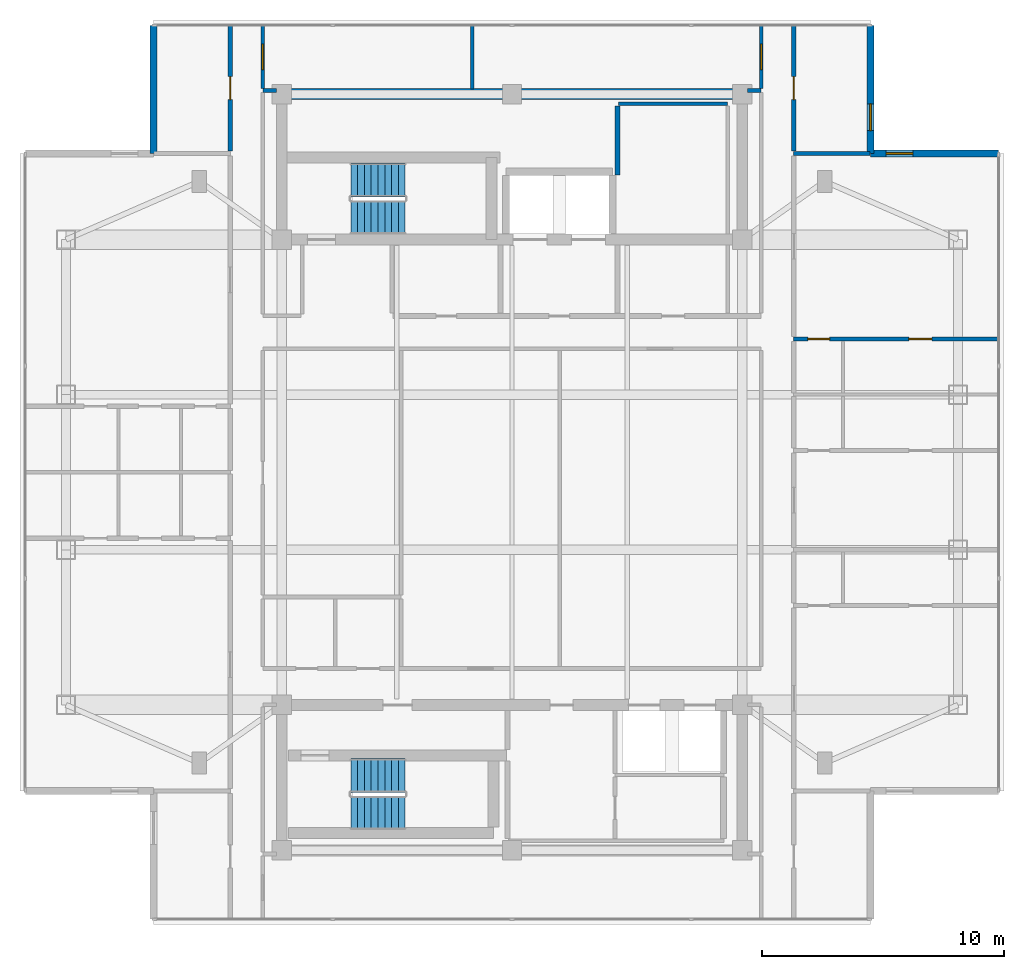
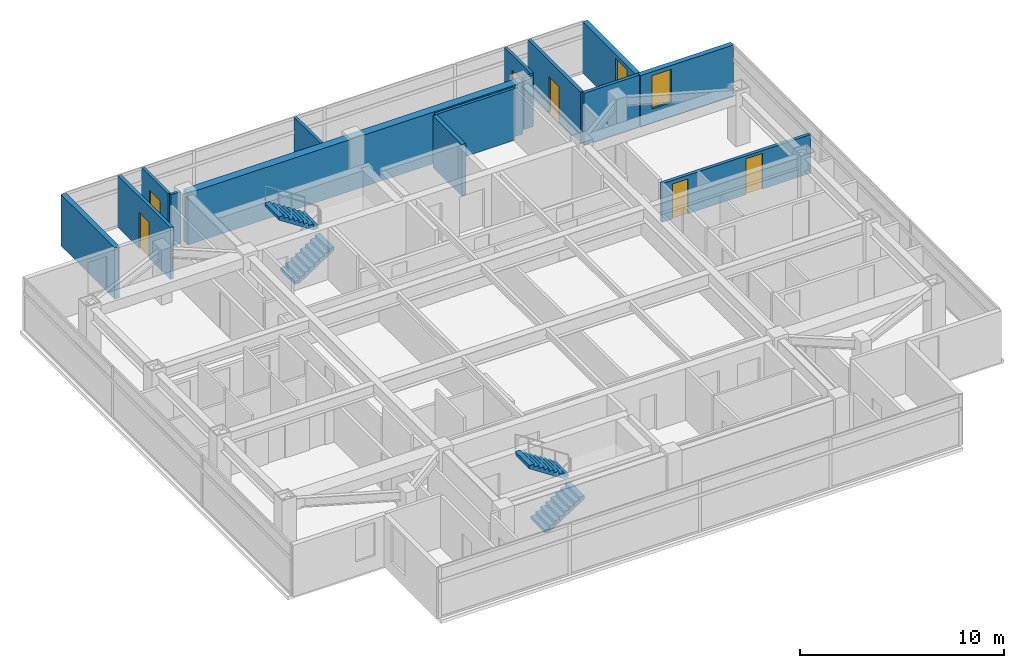
# One storey, part 9 of 12: 15 walls, 6 doors, 4 stair flights, 2 windows, 8 openings, 2 elements without a shape of their own.
"""IFC4 building model written with IfcOpenShell, lengths in metres."""

import ifcopenshell
import ifcopenshell.guid

model = None  # the IFC model being written
_history = None  # IfcOwnerHistory: only IFC2X3 demands one
_inside = {}  # id of a spatial element -> (the spatial element, [elements in it])
_under = {}  # id of a project, library or spatial element -> (it, [spatial elements below it])
_declared = {}  # id of a project -> (the project, [libraries it declares])
_typed = {}  # id of a type object -> (the type object, [elements of that type])
_made_of = {}  # id of a material, layer set ... -> (it, [elements and type objects made of it])


def new_model(schema):
    """Start an empty IFC model of exactly this schema.

    Asked for "IFC4X3", IfcOpenShell would pick the latest addendum, in which some entities
    have other attributes; the version numbers below select the first issue.
    IFC2X3 requires an IfcOwnerHistory on every rooted entity: one is made here for all.
    """
    global model, _history
    if schema == "IFC4X3":
        model = ifcopenshell.file(schema_version=(4, 3, 0, 0))
    else:
        model = ifcopenshell.file(schema=schema)
    _inside.clear()
    _under.clear()
    _declared.clear()
    _typed.clear()
    _made_of.clear()
    _history = None
    if model.schema == "IFC2X3":
        org = make("IfcOrganization", Name="unknown")
        user = make(
            "IfcPersonAndOrganization",
            ThePerson=make("IfcPerson", FamilyName="unknown"),
            TheOrganization=org,
        )
        app = make(
            "IfcApplication",
            ApplicationDeveloper=org,
            Version="unknown",
            ApplicationFullName="unknown",
            ApplicationIdentifier="unknown",
        )
        _history = make(
            "IfcOwnerHistory",
            OwningUser=user,
            OwningApplication=app,
            ChangeAction="ADDED",
            CreationDate=0,
        )
    return model


def make(cls, **values):
    """One entity of the class cls with the attributes given. An attribute that is None is left unset."""
    return model.create_entity(
        cls, **{name: value for name, value in values.items() if value is not None}
    )


def rooted(cls, **values):
    """An entity with a GlobalId (a new one), such as an element, a storey or a relation."""
    return make(cls, GlobalId=ifcopenshell.guid.new(), OwnerHistory=_history, **values)


def si_unit(unit_type, name, prefix=None):
    """IfcSIUnit, for example si_unit("LENGTHUNIT", "METRE", prefix="MILLI")."""
    return make("IfcSIUnit", UnitType=unit_type, Prefix=prefix, Name=name)


def assignment(units):
    """IfcUnitAssignment: the units of a project."""
    return None if units is None else make("IfcUnitAssignment", Units=units)


def point(xyz):
    """IfcCartesianPoint."""
    return None if xyz is None else make("IfcCartesianPoint", Coordinates=xyz)


def direction(xyz):
    """IfcDirection."""
    return None if xyz is None else make("IfcDirection", DirectionRatios=xyz)


def frame(location, z_axis=None, x_axis=None):
    """IfcAxis2Placement3D, a coordinate frame: its origin and axes. An axis left out is left unset."""
    return make(
        "IfcAxis2Placement3D",
        Location=point(location),
        Axis=direction(z_axis),
        RefDirection=direction(x_axis),
    )


def frame_2d(location, x_axis=None):
    """IfcAxis2Placement2D, a coordinate frame in the plane: its origin and x axis."""
    return make(
        "IfcAxis2Placement2D", Location=point(location), RefDirection=direction(x_axis)
    )


def origin():
    """The frame at (0, 0, 0) with its axes left unset."""
    return frame((0.0, 0.0, 0.0))


def place(relative_to, where):
    """IfcLocalPlacement: puts the frame where relative to a parent placement (None: the world)."""
    return make(
        "IfcLocalPlacement", PlacementRelTo=relative_to, RelativePlacement=where
    )


def context(
    kind, dimensions, precision=None, world=None, true_north=None, identifier=None
):
    """IfcGeometricRepresentationContext, for example the 3D "Model" context."""
    return make(
        "IfcGeometricRepresentationContext",
        ContextIdentifier=identifier,
        ContextType=kind,
        CoordinateSpaceDimension=dimensions,
        Precision=precision,
        WorldCoordinateSystem=world,
        TrueNorth=true_north,
    )


def subcontext(parent, identifier, kind, view, scale=None):
    """IfcGeometricRepresentationSubContext, for example "Body" below "Model"."""
    return make(
        "IfcGeometricRepresentationSubContext",
        ContextIdentifier=identifier,
        ContextType=kind,
        ParentContext=parent,
        TargetScale=scale,
        TargetView=view,
    )


def project(units=None, contexts=None):
    """IfcProject with its units and contexts."""
    return rooted(
        "IfcProject",
        Name="project",
        RepresentationContexts=contexts,
        UnitsInContext=assignment(units),
    )


def spatial(cls, under=None, at=None, **own):
    """A site, building, storey or space (cls), placed at a placement, below another one or the project."""
    s = rooted(cls, ObjectPlacement=at, **own)
    if under is not None:
        _under.setdefault(under.id(), (under, []))[1].append(s)
    return s


def polyline(points):
    """IfcPolyline through the points."""
    return make("IfcPolyline", Points=[point(p) for p in points])


def profile(cls, at=None, kind="AREA", **sizes):
    """A parametric profile (cls). Its sizes go by their IFC names, for example OverallWidth=200.0."""
    return make(cls, ProfileType=kind, Position=at, **sizes)


def rectangle(**sizes):
    """IfcRectangleProfileDef."""
    return profile("IfcRectangleProfileDef", **sizes)


def outline(outer, holes=None, kind="AREA"):
    """IfcArbitraryClosedProfileDef: a profile drawn as a closed curve; with holes, ...WithVoids."""
    if holes is None:
        return make("IfcArbitraryClosedProfileDef", ProfileType=kind, OuterCurve=outer)
    return make(
        "IfcArbitraryProfileDefWithVoids",
        ProfileType=kind,
        OuterCurve=outer,
        InnerCurves=holes,
    )


def extrude(swept, where, along, depth):
    """IfcExtrudedAreaSolid: the profile swept, set in the frame where, extruded along a direction by depth."""
    return make(
        "IfcExtrudedAreaSolid",
        SweptArea=swept,
        Position=where,
        ExtrudedDirection=direction(along),
        Depth=depth,
    )


def shape(context_of_items, identifier, shape_type, items):
    """IfcShapeRepresentation: the items that make up one representation, for example the "Body"."""
    return make(
        "IfcShapeRepresentation",
        ContextOfItems=context_of_items,
        RepresentationIdentifier=identifier,
        RepresentationType=shape_type,
        Items=items,
    )


def material(Name=None, Category=None):
    """IfcMaterial."""
    return make("IfcMaterial", Name=Name, Category=Category)


def layer(
    of_material, thickness, ventilated=None, Name=None, Category=None, Priority=None
):
    """IfcMaterialLayer: one layer of a wall or slab, of a material (None: an air gap)."""
    return make(
        "IfcMaterialLayer",
        Material=of_material,
        LayerThickness=thickness,
        IsVentilated=ventilated,
        Name=Name,
        Category=Category,
        Priority=Priority,
    )


def layer_set(layers, Name=None):
    """IfcMaterialLayerSet."""
    return make("IfcMaterialLayerSet", MaterialLayers=layers, LayerSetName=Name)


def made_of(thing, what):
    """Note that an element or type object is made of a material, layer set ...; save() writes the relation."""
    if what is not None:
        _made_of.setdefault(what.id(), (what, []))[1].append(thing)
    return thing


def type_object(cls, material=None, **own):
    """A type object (cls), such as IfcWallType, which elements share."""
    return made_of(rooted(cls, **own), material)


def element(
    cls,
    number,
    at=None,
    inside=None,
    cuts=None,
    type_object=None,
    material=None,
    context=None,
    identifier="Body",
    shape_type=None,
    held_by="IfcProductDefinitionShape",
    body=None,
    shapes=None,
    **own,
):
    """One element of the class cls, such as IfcWall. Its Tag is "e" and its number.

    at: its placement. inside: the storey or other place that contains it. cuts: it is an
    opening in that element (IfcRelVoidsElement). A single representation is given by context,
    identifier, shape_type and body (its items); several are given by shapes. held_by: the class
    of the entity that holds the representations. save() writes the other relations.
    """
    e = rooted(cls, Tag="e%d" % number, ObjectPlacement=at, **own)
    if body is not None:
        shapes = [shape(context, identifier, shape_type, body)]
    if shapes is not None:
        e.Representation = make(held_by, Representations=shapes)
    if inside is not None:
        _inside.setdefault(inside.id(), (inside, []))[1].append(e)
    if cuts is not None:
        rooted(
            "IfcRelVoidsElement", RelatingBuildingElement=cuts, RelatedOpeningElement=e
        )
    if type_object is not None:
        _typed.setdefault(type_object.id(), (type_object, []))[1].append(e)
    return made_of(e, material)


def fill(opening, filler):
    """IfcRelFillsElement: the door or window that sits in an opening."""
    return rooted(
        "IfcRelFillsElement",
        RelatingOpeningElement=opening,
        RelatedBuildingElement=filler,
    )


def aggregate(whole, parts):
    """IfcRelAggregates: a whole, such as a stair, and the parts it consists of."""
    return rooted("IfcRelAggregates", RelatingObject=whole, RelatedObjects=parts)


def save(model, path):
    """Write the relations noted so far, then the file.

    IfcRelAggregates (storeys below a building ...), IfcRelContainedInSpatialStructure (elements
    in a storey), IfcRelDefinesByType, IfcRelAssociatesMaterial and IfcRelDeclares: one each for
    every whole, place, type object, material and project.
    """
    for whole, parts in _under.values():
        aggregate(whole, parts)
    for where, things in _inside.values():
        rooted(
            "IfcRelContainedInSpatialStructure",
            RelatedElements=things,
            RelatingStructure=where,
        )
    for kind, things in _typed.values():
        rooted("IfcRelDefinesByType", RelatedObjects=things, RelatingType=kind)
    for what, things in _made_of.values():
        rooted("IfcRelAssociatesMaterial", RelatedObjects=things, RelatingMaterial=what)
    for by, libraries in _declared.values():
        rooted("IfcRelDeclares", RelatingContext=by, RelatedDefinitions=libraries)
    model.write(path)


model = new_model("IFC4")

# Units and contexts
model_context = context("Model", 3, precision=1e-05, world=origin(), true_north=direction((0.0, 1.0)))
body_context = subcontext(model_context, "Body", "Model", "MODEL_VIEW")
ifc_project = project(units=[si_unit("LENGTHUNIT", "METRE"), si_unit("AREAUNIT", "SQUARE_METRE"), si_unit("VOLUMEUNIT", "CUBIC_METRE"), si_unit("PLANEANGLEUNIT", "RADIAN"), si_unit("MASSUNIT", "GRAM", prefix="KILO")], contexts=[model_context])

# Site, building, storey
site_placement = place(None, origin())
site = spatial("IfcSite", under=ifc_project, at=site_placement, CompositionType="ELEMENT")
building_placement = place(site_placement, origin())
building = spatial("IfcBuilding", under=site, at=building_placement, Name="Mirazonda Arch Towers", CompositionType="ELEMENT")
storey_placement = place(building_placement, frame((0.0, 0.0, 219.39990234375)))
storey = spatial("IfcBuildingStorey", under=building, at=storey_placement, Name="L62", CompositionType="ELEMENT", Elevation=219.39990234375)

# Wall
ifc_material_1 = material(Name="Concrete C50/60", Category="concrete")
ifc_layer_1 = layer(ifc_material_1, 0.449951171875, Name="WALL-CORE-450")
ifc_layer_set_1 = layer_set([ifc_layer_1], Name="Concrete C50/60")
wall_type_1 = type_object("IfcWallType", Name="WALL-CORE-450", PredefinedType="SHEAR", material=ifc_layer_set_1)
wall_1_placement = place(storey_placement, frame((11.0, 43.60009765625, 0.0), z_axis=(0.0, 0.0, 1.0), x_axis=(1.0, 0.0, 0.0)))
element("IfcWall", 1, at=wall_1_placement, inside=storey, type_object=wall_type_1, Name="L62 T1N-N Core Shear Wall", PredefinedType="SHEAR", context=body_context, shape_type="SweptSolid", body=[
    extrude(rectangle(XDim=19.0, YDim=0.449951171875, at=frame_2d((9.5, 0.0))), origin(), (0.0, 0.0, 1.0), 3.10009765625),
])

# Wall, opening, window
ifc_material_2 = material(Name="Precast Concrete C40/50", Category="concrete")
ifc_layer_2 = layer(ifc_material_2, 0.280029296875, Name="WALL-EXT-WALL-280")
ifc_layer_set_2 = layer_set([ifc_layer_2], Name="Precast Concrete C40/50")
wall_type_2 = type_object("IfcWallType", Name="WALL-EXT-WALL-280", PredefinedType="SOLIDWALL", material=ifc_layer_set_2)
wall_2_placement = place(storey_placement, frame((35.2900390625, 41.14990234375, 0.0), z_axis=(0.0, 0.0, 1.0), x_axis=(0.0, 1.0, 0.0)))
wall_2 = element("IfcWall", 2, at=wall_2_placement, inside=storey, type_object=wall_type_2, Name="L62 T1 Notched NE Corner Wall WL-L62-T1-CNE", PredefinedType="SOLIDWALL", context=body_context, shape_type="SweptSolid", body=[
    extrude(rectangle(XDim=5.2900390625, YDim=0.280029296875, at=frame_2d((2.64501953125, 0.0))), origin(), (0.0, 0.0, 1.0), 3.080078125),
])
opening_1_placement = place(wall_2_placement, frame((0.949951171875, 0.0, 0.85009765625)))
opening_1 = element("IfcOpeningElement", 3, at=opening_1_placement, cuts=wall_2, Name="Opening WN-108", PredefinedType="OPENING", context=body_context, shape_type="SweptSolid", body=[
    extrude(rectangle(XDim=1.10009765625, YDim=2.0, at=frame_2d((0.550048828125, 1.0))), frame((0.0, 0.14990234375, 0.0), z_axis=(0.0, -1.0, 0.0), x_axis=(1.0, 0.0, 0.0)), (0.0, 0.0, 1.0), 0.300048828125),
])
ifc_material_3 = material(Name="Insulated Low-E Solar Glass", Category="glass")
window_type = type_object("IfcWindowType", Name="WIN-NOTCH-1100x2000", PartitioningType="SINGLE_PANEL", PredefinedType="WINDOW", material=ifc_material_3)
window_1_placement = place(opening_1_placement, origin())
window_1 = element("IfcWindow", 4, at=window_1_placement, inside=storey, type_object=window_type, Name="L62 Punched Facade Window WN-L62-T1-CNE", OverallHeight=2.0, OverallWidth=1.10009765625, PartitioningType="SINGLE_PANEL", PredefinedType="WINDOW", context=body_context, shape_type="SweptSolid", body=[
    extrude(rectangle(XDim=1.10009765625, YDim=2.0, at=frame_2d((0.550048828125, 1.0))), frame((0.0, 0.030029296875, 0.0), z_axis=(0.0, -1.0, 0.0), x_axis=(1.0, 0.0, 0.0)), (0.0, 0.0, 1.0), 0.06005859375),
])
fill(opening_1, window_1)

# Wall
wall_3_placement = place(storey_placement, frame((5.7099609375, 46.43994140625, 0.0), z_axis=(0.0, 0.0, 1.0), x_axis=(0.0, -1.0, 0.0)))
element("IfcWall", 5, at=wall_3_placement, inside=storey, type_object=wall_type_2, Name="L62 T1 Corner Notch Return Wall WL-L62-T1-CNW2", PredefinedType="SOLIDWALL", context=body_context, shape_type="SweptSolid", body=[
    extrude(rectangle(XDim=5.2900390625, YDim=0.280029296875, at=frame_2d((2.64501953125, 0.0))), origin(), (0.0, 0.0, 1.0), 3.080078125),
])

# Wall, opening, window
wall_4_placement = place(storey_placement, frame((40.580078125, 41.14990234375, 0.0), z_axis=(0.0, 0.0, 1.0), x_axis=(-1.0, 0.0, 0.0)))
wall_4 = element("IfcWall", 6, at=wall_4_placement, inside=storey, type_object=wall_type_2, Name="L62 T1 Corner Notch Return Wall WL-L62-T1-CNE2", PredefinedType="SOLIDWALL", context=body_context, shape_type="SweptSolid", body=[
    extrude(rectangle(XDim=5.2900390625, YDim=0.280029296875, at=frame_2d((2.64501953125, 0.0))), origin(), (0.0, 0.0, 1.0), 3.080078125),
])
opening_2_placement = place(wall_4_placement, frame((3.5400390625, 0.0, 0.85009765625)))
opening_2 = element("IfcOpeningElement", 7, at=opening_2_placement, cuts=wall_4, Name="Opening WN-108", PredefinedType="OPENING", context=body_context, shape_type="SweptSolid", body=[
    extrude(rectangle(XDim=1.10009765625, YDim=2.0, at=frame_2d((0.550048828125, 1.0))), frame((0.0, 0.14990234375, 0.0), z_axis=(0.0, -1.0, 0.0), x_axis=(1.0, 0.0, 0.0)), (0.0, 0.0, 1.0), 0.300048828125),
])
window_2_placement = place(opening_2_placement, origin())
window_2 = element("IfcWindow", 8, at=window_2_placement, inside=storey, type_object=window_type, Name="L62 Punched Facade Window WN-L62-T1-CNE2", OverallHeight=2.0, OverallWidth=1.10009765625, PartitioningType="SINGLE_PANEL", PredefinedType="WINDOW", context=body_context, shape_type="SweptSolid", body=[
    extrude(rectangle(XDim=1.10009765625, YDim=2.0, at=frame_2d((0.550048828125, 1.0))), frame((0.0, 0.030029296875, 0.0), z_axis=(0.0, -1.0, 0.0), x_axis=(1.0, 0.0, 0.0)), (0.0, 0.0, 1.0), 0.06005859375),
])
fill(opening_2, window_2)

# Walls
ifc_material_4 = material(Name="Concrete C40/50", Category="concrete")
ifc_layer_3 = layer(ifc_material_4, 0.219970703125, Name="WALL-FFL-220")
ifc_layer_set_3 = layer_set([ifc_layer_3], Name="Concrete C40/50")
wall_type_3 = type_object("IfcWallType", Name="WALL-FFL-220", PredefinedType="SOLIDWALL", material=ifc_layer_set_3)
wall_5_placement = place(storey_placement, frame((24.85009765625, 40.260009765625, 0.0), z_axis=(0.0, 0.0, 1.0), x_axis=(0.0, 1.0, 0.0)))
element("IfcWall", 9, at=wall_5_placement, inside=storey, type_object=wall_type_3, Name="L62 Interior Partition 062", PredefinedType="SOLIDWALL", context=body_context, shape_type="SweptSolid", body=[
    extrude(rectangle(XDim=2.85498046875, YDim=0.219970703125, at=frame_2d((1.427490234375, 0.0))), origin(), (0.0, 0.0, 1.0), 3.10009765625),
])
ifc_material_5 = material(Name="Fire-Rated Gypsum Stud Partition")
ifc_layer_4 = layer(ifc_material_5, 0.14990234375, Name="WALL-PART-CORR-150")
ifc_layer_set_4 = layer_set([ifc_layer_4], Name="Fire-Rated Gypsum Stud Partition")
wall_type_4 = type_object("IfcWallType", Name="WALL-PART-CORR-150", PredefinedType="PARTITIONING", material=ifc_layer_set_4)
wall_6_placement = place(storey_placement, frame((24.89990234375, 43.199951171875, 0.0), z_axis=(0.0, 0.0, 1.0), x_axis=(1.0, 0.0, 0.0)))
element("IfcWall", 10, at=wall_6_placement, inside=storey, type_object=wall_type_4, Name="L62 Interior Partition 027", PredefinedType="PARTITIONING", context=body_context, shape_type="SweptSolid", body=[
    extrude(rectangle(XDim=4.5, YDim=0.14990234375, at=frame_2d((2.25, 0.0))), origin(), (0.0, 0.0, 1.0), 3.10009765625),
])
for number, where, z_axis, x_axis, name in (
    (11, (10.219970703125, 43.75, 0.0), (0.0, 0.0, 1.0), (1.0, 0.0, 0.0), "L62 Interior Partition 028"),
    (12, (30.219970703125, 43.75, 0.0), (0.0, 0.0, 1.0), (1.0, 0.0, 0.0), "L62 Interior Partition 029"),
):
    element("IfcWall", number, at=place(storey_placement, frame(where, z_axis=z_axis, x_axis=x_axis)), inside=storey, type_object=wall_type_4, Name=name, PredefinedType="PARTITIONING", context=body_context, shape_type="SweptSolid", body=[
        extrude(rectangle(XDim=0.56005859375, YDim=0.14990234375, at=frame_2d((0.280029296875, 0.0))), origin(), (0.0, 0.0, 1.0), 3.10009765625),
    ])

# Wall, opening, door
wall_7_placement = place(storey_placement, frame((10.219970703125, 43.8349609375, 0.0), z_axis=(0.0, 0.0, 1.0), x_axis=(0.0, 1.0, 0.0)))
wall_7 = element("IfcWall", 13, at=wall_7_placement, inside=storey, type_object=wall_type_4, Name="L62 Interior Partition 045", PredefinedType="PARTITIONING", context=body_context, shape_type="SweptSolid", body=[
    extrude(rectangle(XDim=2.60498046875, YDim=0.14990234375, at=frame_2d((1.302490234375, 0.0))), origin(), (0.0, 0.0, 1.0), 3.10009765625),
])
opening_3_placement = place(wall_7_placement, frame((0.777587890625, 0.0, 0.0)))
opening_3 = element("IfcOpeningElement", 14, at=opening_3_placement, cuts=wall_7, Name="Opening DR-121", PredefinedType="OPENING", context=body_context, shape_type="SweptSolid", body=[
    extrude(rectangle(XDim=1.050048828125, YDim=2.199951171875, at=frame_2d((0.52490234375, 1.10009765625))), frame((0.0, 0.0849609375, 0.0), z_axis=(0.0, -1.0, 0.0), x_axis=(1.0, 0.0, 0.0)), (0.0, 0.0, 1.0), 0.169921875),
])
ifc_material_6 = material(Name="Architectural Brushed Steel S355", Category="steel")
door_type_1 = type_object("IfcDoorType", Name="DOOR-SUITE-FD60-1050", OperationType="NOTDEFINED", PredefinedType="DOOR", material=ifc_material_6)
door_1_placement = place(opening_3_placement, origin())
door_1 = element("IfcDoor", 15, at=door_1_placement, inside=storey, type_object=door_type_1, Name="L62 North Bay Sunroom West Door", OperationType="SINGLE_SWING_LEFT", OverallHeight=2.199951171875, OverallWidth=1.050048828125, PredefinedType="DOOR", context=body_context, shape_type="SweptSolid", body=[
    extrude(rectangle(XDim=1.050048828125, YDim=2.199951171875, at=frame_2d((0.52490234375, 1.10009765625))), frame((0.0, 0.02490234375, 0.0), z_axis=(0.0, -1.0, 0.0), x_axis=(1.0, 0.0, 0.0)), (0.0, 0.0, 1.0), 0.050048828125),
])
fill(opening_3, door_1)

# Wall
wall_8_placement = place(storey_placement, frame((18.85498046875, 43.820068359375, 0.0), z_axis=(0.0, 0.0, 1.0), x_axis=(0.0, 1.0, 0.0)))
element("IfcWall", 16, at=wall_8_placement, inside=storey, type_object=wall_type_4, Name="L62 Interior Partition 051", PredefinedType="PARTITIONING", context=body_context, shape_type="SweptSolid", body=[
    extrude(rectangle(XDim=2.619873046875, YDim=0.14990234375, at=frame_2d((1.31005859375, 0.0))), origin(), (0.0, 0.0, 1.0), 3.10009765625),
])

# Wall, opening, door
wall_9_placement = place(storey_placement, frame((30.780029296875, 43.8349609375, 0.0), z_axis=(0.0, 0.0, 1.0), x_axis=(0.0, 1.0, 0.0)))
wall_9 = element("IfcWall", 17, at=wall_9_placement, inside=storey, type_object=wall_type_4, Name="L62 Interior Partition 071", PredefinedType="PARTITIONING", context=body_context, shape_type="SweptSolid", body=[
    extrude(rectangle(XDim=2.60498046875, YDim=0.14990234375, at=frame_2d((1.302490234375, 0.0))), origin(), (0.0, 0.0, 1.0), 3.10009765625),
])
opening_4_placement = place(wall_9_placement, frame((0.777587890625, 0.0, 0.0)))
opening_4 = element("IfcOpeningElement", 18, at=opening_4_placement, cuts=wall_9, Name="Opening DR-121", PredefinedType="OPENING", context=body_context, shape_type="SweptSolid", body=[
    extrude(rectangle(XDim=1.050048828125, YDim=2.199951171875, at=frame_2d((0.52490234375, 1.10009765625))), frame((0.0, 0.0849609375, 0.0), z_axis=(0.0, -1.0, 0.0), x_axis=(1.0, 0.0, 0.0)), (0.0, 0.0, 1.0), 0.169921875),
])
door_2_placement = place(opening_4_placement, origin())
door_2 = element("IfcDoor", 19, at=door_2_placement, inside=storey, type_object=door_type_1, Name="L62 North Bay Sunroom East Door", OperationType="SINGLE_SWING_RIGHT", OverallHeight=2.199951171875, OverallWidth=1.050048828125, PredefinedType="DOOR", context=body_context, shape_type="SweptSolid", body=[
    extrude(rectangle(XDim=1.050048828125, YDim=2.199951171875, at=frame_2d((0.52490234375, 1.10009765625))), frame((0.0, 0.02490234375, 0.0), z_axis=(0.0, -1.0, 0.0), x_axis=(1.0, 0.0, 0.0)), (0.0, 0.0, 1.0), 0.050048828125),
])
fill(opening_4, door_2)

# Wall, openings, doors
ifc_material_7 = material(Name="Fire-Rated Gypsum Twin-Stud Assembly")
ifc_layer_5 = layer(ifc_material_7, 0.179931640625, Name="WALL-PART-DEMISE-180")
ifc_layer_set_5 = layer_set([ifc_layer_5], Name="Fire-Rated Gypsum Twin-Stud Assembly")
wall_type_5 = type_object("IfcWallType", Name="WALL-PART-DEMISE-180", PredefinedType="PARTITIONING", material=ifc_layer_set_5)
wall_10_placement = place(storey_placement, frame((32.1201171875, 33.5, 0.0), z_axis=(0.0, 0.0, 1.0), x_axis=(1.0, 0.0, 0.0)))
wall_10 = element("IfcWall", 20, at=wall_10_placement, inside=storey, type_object=wall_type_5, Name="L62 Interior Partition 021", PredefinedType="PARTITIONING", context=body_context, shape_type="SweptSolid", body=[
    extrude(rectangle(XDim=8.4599609375, YDim=0.179931640625, at=frame_2d((4.22998046875, 0.0))), origin(), (0.0, 0.0, 1.0), 2.319091796875),
])
opening_5_placement = place(wall_10_placement, frame((4.7548828125, 0.0, 0.0)))
opening_5 = element("IfcOpeningElement", 21, at=opening_5_placement, cuts=wall_10, Name="Opening DR-104", PredefinedType="OPENING", context=body_context, shape_type="SweptSolid", body=[
    extrude(rectangle(XDim=0.949951171875, YDim=2.14990234375, at=frame_2d((0.47509765625, 1.074951171875))), frame((0.0, 0.099853515625, 0.0), z_axis=(0.0, -1.0, 0.0), x_axis=(1.0, 0.0, 0.0)), (0.0, 0.0, 1.0), 0.199951171875),
])
opening_6_placement = place(wall_10_placement, frame((0.590087890625, 0.0, 0.0)))
opening_6 = element("IfcOpeningElement", 22, at=opening_6_placement, cuts=wall_10, Name="Opening DR-120", PredefinedType="OPENING", context=body_context, shape_type="SweptSolid", body=[
    extrude(rectangle(XDim=0.89990234375, YDim=2.10009765625, at=frame_2d((0.449951171875, 1.050048828125))), frame((0.0, 0.099853515625, 0.0), z_axis=(0.0, -1.0, 0.0), x_axis=(1.0, 0.0, 0.0)), (0.0, 0.0, 1.0), 0.199951171875),
])
door_type_2 = type_object("IfcDoorType", Name="DOOR-ROOM-950", OperationType="NOTDEFINED", PredefinedType="DOOR", material=ifc_material_6)
door_3_placement = place(opening_5_placement, origin())
door_3 = element("IfcDoor", 23, at=door_3_placement, inside=storey, type_object=door_type_2, Name="L62 Studio 3 Galley Kitchen Door", OperationType="SINGLE_SWING_RIGHT", OverallHeight=2.14990234375, OverallWidth=0.949951171875, PredefinedType="DOOR", context=body_context, shape_type="SweptSolid", body=[
    extrude(rectangle(XDim=0.949951171875, YDim=2.14990234375, at=frame_2d((0.47509765625, 1.074951171875))), frame((0.0, 0.02490234375, 0.0), z_axis=(0.0, -1.0, 0.0), x_axis=(1.0, 0.0, 0.0)), (0.0, 0.0, 1.0), 0.050048828125),
])
fill(opening_5, door_3)
door_type_3 = type_object("IfcDoorType", Name="DOOR-WC-900", OperationType="NOTDEFINED", PredefinedType="DOOR", material=ifc_material_6)
door_4_placement = place(opening_6_placement, origin())
door_4 = element("IfcDoor", 24, at=door_4_placement, inside=storey, type_object=door_type_3, Name="L62 Studio 3 Bathroom Door", OperationType="SINGLE_SWING_LEFT", OverallHeight=2.10009765625, OverallWidth=0.89990234375, PredefinedType="DOOR", context=body_context, shape_type="SweptSolid", body=[
    extrude(rectangle(XDim=0.89990234375, YDim=2.10009765625, at=frame_2d((0.449951171875, 1.050048828125))), frame((0.0, 0.02490234375, 0.0), z_axis=(0.0, -1.0, 0.0), x_axis=(1.0, 0.0, 0.0)), (0.0, 0.0, 1.0), 0.050048828125),
])
fill(opening_6, door_4)

# Wall
wall_11_placement = place(storey_placement, frame((32.1201171875, 41.14990234375, 0.0), z_axis=(0.0, 0.0, 1.0), x_axis=(1.0, 0.0, 0.0)))
element("IfcWall", 25, at=wall_11_placement, inside=storey, type_object=wall_type_5, Name="L62 Interior Partition 026", PredefinedType="PARTITIONING", context=body_context, shape_type="SweptSolid", body=[
    extrude(rectangle(XDim=3.14990234375, YDim=0.179931640625, at=frame_2d((1.574951171875, 0.0))), origin(), (0.0, 0.0, 1.0), 3.10009765625),
])

# Wall, opening, door
wall_12_placement = place(storey_placement, frame((8.8798828125, 41.25, 0.0), z_axis=(0.0, 0.0, 1.0), x_axis=(0.0, 1.0, 0.0)))
wall_12 = element("IfcWall", 26, at=wall_12_placement, inside=storey, type_object=wall_type_5, Name="L62 Interior Partition 039", PredefinedType="PARTITIONING", context=body_context, shape_type="SweptSolid", body=[
    extrude(rectangle(XDim=5.18994140625, YDim=0.179931640625, at=frame_2d((2.594970703125, 0.0))), origin(), (0.0, 0.0, 1.0), 3.10009765625),
])
opening_7_placement = place(wall_12_placement, frame((2.1201171875, 0.0, 0.0)))
opening_7 = element("IfcOpeningElement", 27, at=opening_7_placement, cuts=wall_12, Name="Opening DR-104", PredefinedType="OPENING", context=body_context, shape_type="SweptSolid", body=[
    extrude(rectangle(XDim=0.949951171875, YDim=2.14990234375, at=frame_2d((0.47509765625, 1.074951171875))), frame((0.0, 0.099853515625, 0.0), z_axis=(0.0, -1.0, 0.0), x_axis=(1.0, 0.0, 0.0)), (0.0, 0.0, 1.0), 0.199951171875),
])
door_5_placement = place(opening_7_placement, origin())
door_5 = element("IfcDoor", 28, at=door_5_placement, inside=storey, type_object=door_type_2, Name="L62 North Bay Sunroom Alcove West Door", OperationType="SINGLE_SWING_LEFT", OverallHeight=2.14990234375, OverallWidth=0.949951171875, PredefinedType="DOOR", context=body_context, shape_type="SweptSolid", body=[
    extrude(rectangle(XDim=0.949951171875, YDim=2.14990234375, at=frame_2d((0.47509765625, 1.074951171875))), frame((0.0, 0.02490234375, 0.0), z_axis=(0.0, -1.0, 0.0), x_axis=(1.0, 0.0, 0.0)), (0.0, 0.0, 1.0), 0.050048828125),
])
fill(opening_7, door_5)

wall_13_placement = place(storey_placement, frame((32.1201171875, 41.25, 0.0), z_axis=(0.0, 0.0, 1.0), x_axis=(0.0, 1.0, 0.0)))
wall_13 = element("IfcWall", 29, at=wall_13_placement, inside=storey, type_object=wall_type_5, Name="L62 Interior Partition 079", PredefinedType="PARTITIONING", context=body_context, shape_type="SweptSolid", body=[
    extrude(rectangle(XDim=5.18994140625, YDim=0.179931640625, at=frame_2d((2.594970703125, 0.0))), origin(), (0.0, 0.0, 1.0), 3.10009765625),
])
opening_8_placement = place(wall_13_placement, frame((2.1201171875, 0.0, 0.0)))
opening_8 = element("IfcOpeningElement", 30, at=opening_8_placement, cuts=wall_13, Name="Opening DR-104", PredefinedType="OPENING", context=body_context, shape_type="SweptSolid", body=[
    extrude(rectangle(XDim=0.949951171875, YDim=2.14990234375, at=frame_2d((0.47509765625, 1.074951171875))), frame((0.0, 0.099853515625, 0.0), z_axis=(0.0, -1.0, 0.0), x_axis=(1.0, 0.0, 0.0)), (0.0, 0.0, 1.0), 0.199951171875),
])
door_6_placement = place(opening_8_placement, origin())
door_6 = element("IfcDoor", 31, at=door_6_placement, inside=storey, type_object=door_type_2, Name="L62 North Bay Sunroom Alcove East Door", OperationType="SINGLE_SWING_RIGHT", OverallHeight=2.14990234375, OverallWidth=0.949951171875, PredefinedType="DOOR", context=body_context, shape_type="SweptSolid", body=[
    extrude(rectangle(XDim=0.949951171875, YDim=2.14990234375, at=frame_2d((0.47509765625, 1.074951171875))), frame((0.0, 0.02490234375, 0.0), z_axis=(0.0, -1.0, 0.0), x_axis=(1.0, 0.0, 0.0)), (0.0, 0.0, 1.0), 0.050048828125),
])
fill(opening_8, door_6)

# Stair, stair flights
stair_type = type_object("IfcStairType", Name="STAIR-CORE-1400", PredefinedType="HALF_TURN_STAIR", material=ifc_material_4)
stair_1_placement = place(storey_placement, origin())
stair_1 = element("IfcStair", 32, at=stair_1_placement, inside=storey, type_object=stair_type, Name="L62 Protected Exit Stair ST-T1N", PredefinedType="HALF_TURN_STAIR")
stair_flight_type = type_object("IfcStairFlightType", Name="FLIGHT-1400", PredefinedType="STRAIGHT", material=ifc_material_4)
stair_flight_1_placement = place(storey_placement, frame((13.85009765625, 38.52001953125, 0.0), z_axis=(0.0, 0.0, 1.0), x_axis=(1.0, 0.0, 0.0)))
stair_flight_1 = element("IfcStairFlight", 33, at=stair_flight_1_placement, type_object=stair_flight_type, Name="ST-T1N flight 1", NumberOfRisers=9, NumberOfTreads=8, PredefinedType="STRAIGHT", RiserHeight=0.183333333, TreadLength=0.28, context=body_context, shape_type="SweptSolid", body=[
    extrude(outline(polyline([(0.0, 0.0), (0.0, 0.183349609375), (0.280029296875, 0.183349609375), (0.280029296875, 0.36669921875), (0.56005859375, 0.36669921875), (0.56005859375, 0.550048828125), (0.840087890625, 0.550048828125), (0.840087890625, 0.7333984375), (1.1201171875, 0.7333984375), (1.1201171875, 0.916748046875), (1.39990234375, 0.916748046875), (1.39990234375, 1.10009765625), (1.679931640625, 1.10009765625), (1.679931640625, 1.283447265625), (1.9599609375, 1.283447265625), (1.9599609375, 1.466552734375), (2.239990234375, 1.466552734375), (2.239990234375, 1.64990234375), (2.239990234375, 1.275634765625), (0.2919921875, 0.0), (0.0, 0.0)])), frame((0.0, 0.699951171875, 0.0), z_axis=(0.0, -1.0, 0.0), x_axis=(1.0, 0.0, 0.0)), (0.0, 0.0, 1.0), 1.39990234375),
])
stair_flight_2_placement = place(storey_placement, frame((16.090087890625, 40.06005859375, 1.650146484375), z_axis=(0.0, 0.0, 1.0), x_axis=(-1.0, 0.0, 0.0)))
stair_flight_2 = element("IfcStairFlight", 34, at=stair_flight_2_placement, type_object=stair_flight_type, Name="ST-T1N flight 2", NumberOfRisers=9, NumberOfTreads=8, PredefinedType="STRAIGHT", RiserHeight=0.183333333, TreadLength=0.28, context=body_context, shape_type="SweptSolid", body=[
    extrude(outline(polyline([(0.0, 0.0), (0.0, 0.183349609375), (0.280029296875, 0.183349609375), (0.280029296875, 0.36669921875), (0.56005859375, 0.36669921875), (0.56005859375, 0.550048828125), (0.840087890625, 0.550048828125), (0.840087890625, 0.7333984375), (1.1201171875, 0.7333984375), (1.1201171875, 0.916748046875), (1.39990234375, 0.916748046875), (1.39990234375, 1.10009765625), (1.679931640625, 1.10009765625), (1.679931640625, 1.283447265625), (1.9599609375, 1.283447265625), (1.9599609375, 1.466552734375), (2.239990234375, 1.466552734375), (2.239990234375, 1.64990234375), (2.239990234375, 1.275634765625), (0.2919921875, 0.0), (0.0, 0.0)])), frame((0.0, 0.699951171875, 0.0), z_axis=(0.0, -1.0, 0.0), x_axis=(1.0, 0.0, 0.0)), (0.0, 0.0, 1.0), 1.39990234375),
])
aggregate(stair_1, [stair_flight_1, stair_flight_2])

stair_2_placement = place(storey_placement, origin())
stair_2 = element("IfcStair", 35, at=stair_2_placement, inside=storey, type_object=stair_type, Name="L62 Protected Exit Stair ST-T1S", PredefinedType="HALF_TURN_STAIR")
stair_flight_3_placement = place(storey_placement, frame((13.85009765625, 13.949951171875, 0.0), z_axis=(0.0, 0.0, 1.0), x_axis=(1.0, 0.0, 0.0)))
stair_flight_3 = element("IfcStairFlight", 36, at=stair_flight_3_placement, type_object=stair_flight_type, Name="ST-T1S flight 1", NumberOfRisers=9, NumberOfTreads=8, PredefinedType="STRAIGHT", RiserHeight=0.183333333, TreadLength=0.28, context=body_context, shape_type="SweptSolid", body=[
    extrude(outline(polyline([(0.0, 0.0), (0.0, 0.183349609375), (0.280029296875, 0.183349609375), (0.280029296875, 0.36669921875), (0.56005859375, 0.36669921875), (0.56005859375, 0.550048828125), (0.840087890625, 0.550048828125), (0.840087890625, 0.7333984375), (1.1201171875, 0.7333984375), (1.1201171875, 0.916748046875), (1.39990234375, 0.916748046875), (1.39990234375, 1.10009765625), (1.679931640625, 1.10009765625), (1.679931640625, 1.283447265625), (1.9599609375, 1.283447265625), (1.9599609375, 1.466552734375), (2.239990234375, 1.466552734375), (2.239990234375, 1.64990234375), (2.239990234375, 1.275634765625), (0.2919921875, 0.0), (0.0, 0.0)])), frame((0.0, 0.699951171875, 0.0), z_axis=(0.0, -1.0, 0.0), x_axis=(1.0, 0.0, 0.0)), (0.0, 0.0, 1.0), 1.39990234375),
])
stair_flight_4_placement = place(storey_placement, frame((16.090087890625, 15.489990234375, 1.650146484375), z_axis=(0.0, 0.0, 1.0), x_axis=(-1.0, 0.0, 0.0)))
stair_flight_4 = element("IfcStairFlight", 37, at=stair_flight_4_placement, type_object=stair_flight_type, Name="ST-T1S flight 2", NumberOfRisers=9, NumberOfTreads=8, PredefinedType="STRAIGHT", RiserHeight=0.183333333, TreadLength=0.28, context=body_context, shape_type="SweptSolid", body=[
    extrude(outline(polyline([(0.0, 0.0), (0.0, 0.183349609375), (0.280029296875, 0.183349609375), (0.280029296875, 0.36669921875), (0.56005859375, 0.36669921875), (0.56005859375, 0.550048828125), (0.840087890625, 0.550048828125), (0.840087890625, 0.7333984375), (1.1201171875, 0.7333984375), (1.1201171875, 0.916748046875), (1.39990234375, 0.916748046875), (1.39990234375, 1.10009765625), (1.679931640625, 1.10009765625), (1.679931640625, 1.283447265625), (1.9599609375, 1.283447265625), (1.9599609375, 1.466552734375), (2.239990234375, 1.466552734375), (2.239990234375, 1.64990234375), (2.239990234375, 1.275634765625), (0.2919921875, 0.0), (0.0, 0.0)])), frame((0.0, 0.699951171875, 0.0), z_axis=(0.0, -1.0, 0.0), x_axis=(1.0, 0.0, 0.0)), (0.0, 0.0, 1.0), 1.39990234375),
])
aggregate(stair_2, [stair_flight_3, stair_flight_4])

save(model, "model.ifc")
